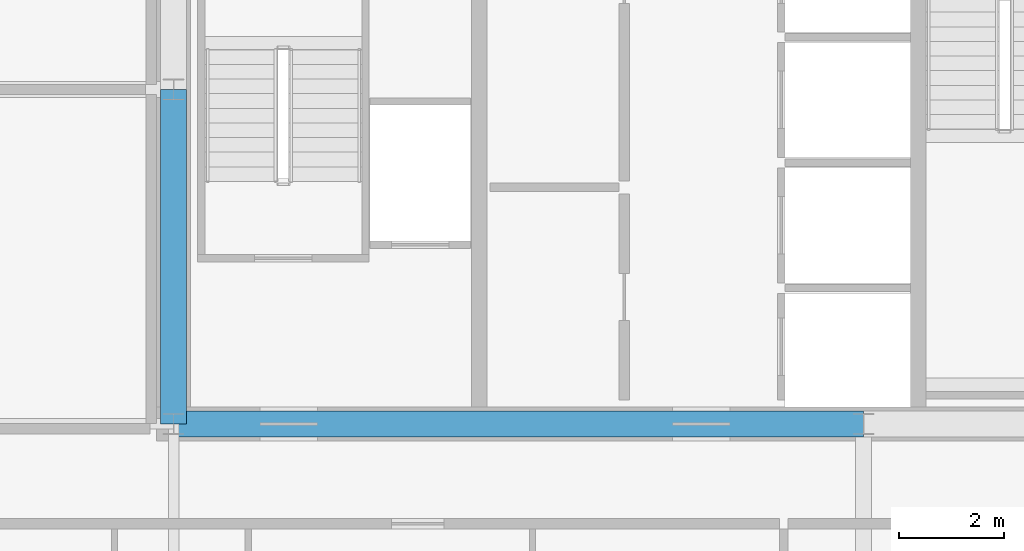
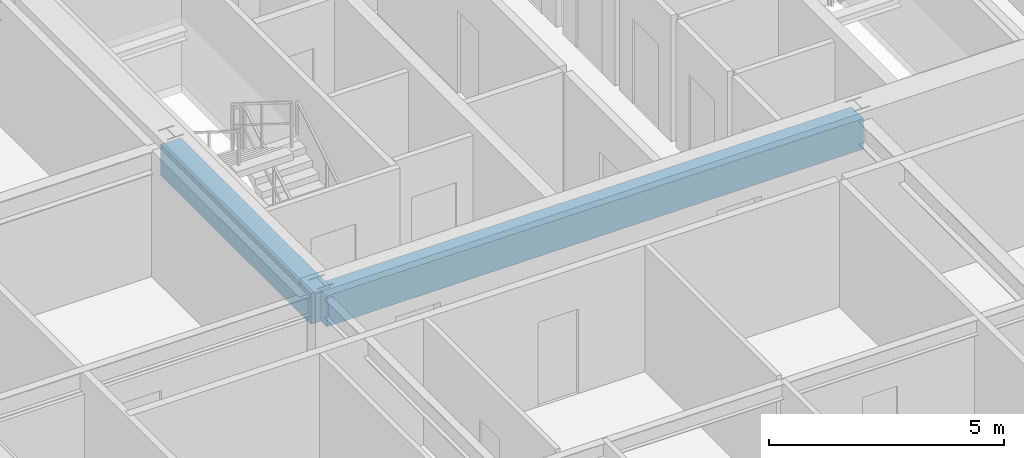
# One storey, part 17 of 45: 2 beams.
"""IFC4 building model written with IfcOpenShell, lengths in metres."""

import ifcopenshell
import ifcopenshell.guid

model = None  # the IFC model being written
_history = None  # IfcOwnerHistory: only IFC2X3 demands one
_inside = {}  # id of a spatial element -> (the spatial element, [elements in it])
_under = {}  # id of a project, library or spatial element -> (it, [spatial elements below it])
_declared = {}  # id of a project -> (the project, [libraries it declares])
_typed = {}  # id of a type object -> (the type object, [elements of that type])
_made_of = {}  # id of a material, layer set ... -> (it, [elements and type objects made of it])


def new_model(schema):
    """Start an empty IFC model of exactly this schema.

    Asked for "IFC4X3", IfcOpenShell would pick the latest addendum, in which some entities
    have other attributes; the version numbers below select the first issue.
    IFC2X3 requires an IfcOwnerHistory on every rooted entity: one is made here for all.
    """
    global model, _history
    if schema == "IFC4X3":
        model = ifcopenshell.file(schema_version=(4, 3, 0, 0))
    else:
        model = ifcopenshell.file(schema=schema)
    _inside.clear()
    _under.clear()
    _declared.clear()
    _typed.clear()
    _made_of.clear()
    _history = None
    if model.schema == "IFC2X3":
        org = make("IfcOrganization", Name="unknown")
        user = make(
            "IfcPersonAndOrganization",
            ThePerson=make("IfcPerson", FamilyName="unknown"),
            TheOrganization=org,
        )
        app = make(
            "IfcApplication",
            ApplicationDeveloper=org,
            Version="unknown",
            ApplicationFullName="unknown",
            ApplicationIdentifier="unknown",
        )
        _history = make(
            "IfcOwnerHistory",
            OwningUser=user,
            OwningApplication=app,
            ChangeAction="ADDED",
            CreationDate=0,
        )
    return model


def make(cls, **values):
    """One entity of the class cls with the attributes given. An attribute that is None is left unset."""
    return model.create_entity(
        cls, **{name: value for name, value in values.items() if value is not None}
    )


def rooted(cls, **values):
    """An entity with a GlobalId (a new one), such as an element, a storey or a relation."""
    return make(cls, GlobalId=ifcopenshell.guid.new(), OwnerHistory=_history, **values)


def si_unit(unit_type, name, prefix=None):
    """IfcSIUnit, for example si_unit("LENGTHUNIT", "METRE", prefix="MILLI")."""
    return make("IfcSIUnit", UnitType=unit_type, Prefix=prefix, Name=name)


def assignment(units):
    """IfcUnitAssignment: the units of a project."""
    return None if units is None else make("IfcUnitAssignment", Units=units)


def point(xyz):
    """IfcCartesianPoint."""
    return None if xyz is None else make("IfcCartesianPoint", Coordinates=xyz)


def direction(xyz):
    """IfcDirection."""
    return None if xyz is None else make("IfcDirection", DirectionRatios=xyz)


def frame(location, z_axis=None, x_axis=None):
    """IfcAxis2Placement3D, a coordinate frame: its origin and axes. An axis left out is left unset."""
    return make(
        "IfcAxis2Placement3D",
        Location=point(location),
        Axis=direction(z_axis),
        RefDirection=direction(x_axis),
    )


def frame_2d(location, x_axis=None):
    """IfcAxis2Placement2D, a coordinate frame in the plane: its origin and x axis."""
    return make(
        "IfcAxis2Placement2D", Location=point(location), RefDirection=direction(x_axis)
    )


def origin():
    """The frame at (0, 0, 0) with its axes left unset."""
    return frame((0.0, 0.0, 0.0))


def origin_2d():
    """The frame at (0, 0) in the plane with its x axis left unset."""
    return frame_2d((0.0, 0.0))


def place(relative_to, where):
    """IfcLocalPlacement: puts the frame where relative to a parent placement (None: the world)."""
    return make(
        "IfcLocalPlacement", PlacementRelTo=relative_to, RelativePlacement=where
    )


def context(
    kind, dimensions, precision=None, world=None, true_north=None, identifier=None
):
    """IfcGeometricRepresentationContext, for example the 3D "Model" context."""
    return make(
        "IfcGeometricRepresentationContext",
        ContextIdentifier=identifier,
        ContextType=kind,
        CoordinateSpaceDimension=dimensions,
        Precision=precision,
        WorldCoordinateSystem=world,
        TrueNorth=true_north,
    )


def subcontext(parent, identifier, kind, view, scale=None):
    """IfcGeometricRepresentationSubContext, for example "Body" below "Model"."""
    return make(
        "IfcGeometricRepresentationSubContext",
        ContextIdentifier=identifier,
        ContextType=kind,
        ParentContext=parent,
        TargetScale=scale,
        TargetView=view,
    )


def project(units=None, contexts=None):
    """IfcProject with its units and contexts."""
    return rooted(
        "IfcProject",
        Name="project",
        RepresentationContexts=contexts,
        UnitsInContext=assignment(units),
    )


def spatial(cls, under=None, at=None, **own):
    """A site, building, storey or space (cls), placed at a placement, below another one or the project."""
    s = rooted(cls, ObjectPlacement=at, **own)
    if under is not None:
        _under.setdefault(under.id(), (under, []))[1].append(s)
    return s


def profile(cls, at=None, kind="AREA", **sizes):
    """A parametric profile (cls). Its sizes go by their IFC names, for example OverallWidth=200.0."""
    return make(cls, ProfileType=kind, Position=at, **sizes)


def rectangle(**sizes):
    """IfcRectangleProfileDef."""
    return profile("IfcRectangleProfileDef", **sizes)


def extrude(swept, where, along, depth):
    """IfcExtrudedAreaSolid: the profile swept, set in the frame where, extruded along a direction by depth."""
    return make(
        "IfcExtrudedAreaSolid",
        SweptArea=swept,
        Position=where,
        ExtrudedDirection=direction(along),
        Depth=depth,
    )


def shape(context_of_items, identifier, shape_type, items):
    """IfcShapeRepresentation: the items that make up one representation, for example the "Body"."""
    return make(
        "IfcShapeRepresentation",
        ContextOfItems=context_of_items,
        RepresentationIdentifier=identifier,
        RepresentationType=shape_type,
        Items=items,
    )


def source(mapping_origin, context_of_items, identifier, shape_type, items):
    """IfcRepresentationMap: a shape defined once, which mapped items show again and again."""
    return make(
        "IfcRepresentationMap",
        MappingOrigin=mapping_origin,
        MappedRepresentation=shape(context_of_items, identifier, shape_type, items),
    )


def transform(
    local_origin,
    x_axis=None,
    y_axis=None,
    z_axis=None,
    scale=None,
    scale2=None,
    scale3=None,
    uniform=True,
):
    """IfcCartesianTransformationOperator3D, or its non-uniform kind. x_axis, y_axis, z_axis: its Axis1, 2, 3."""
    if uniform:
        return make(
            "IfcCartesianTransformationOperator3D",
            Axis1=direction(x_axis),
            Axis2=direction(y_axis),
            LocalOrigin=point(local_origin),
            Scale=scale,
            Axis3=direction(z_axis),
        )
    return make(
        "IfcCartesianTransformationOperator3DnonUniform",
        Axis1=direction(x_axis),
        Axis2=direction(y_axis),
        LocalOrigin=point(local_origin),
        Scale=scale,
        Axis3=direction(z_axis),
        Scale2=scale2,
        Scale3=scale3,
    )


def mapped(mapping_source, mapping_target):
    """IfcMappedItem: shows the shape of a source again, moved by a transform."""
    return make(
        "IfcMappedItem", MappingSource=mapping_source, MappingTarget=mapping_target
    )


def material(Name=None, Category=None):
    """IfcMaterial."""
    return make("IfcMaterial", Name=Name, Category=Category)


def material_profile(
    of_material, cross_section, Name=None, Category=None, Priority=None
):
    """IfcMaterialProfile: a cross section and its material."""
    return make(
        "IfcMaterialProfile",
        Name=Name,
        Material=of_material,
        Profile=cross_section,
        Priority=Priority,
        Category=Category,
    )


def profile_set(profiles, Name=None, composite=None):
    """IfcMaterialProfileSet."""
    return make(
        "IfcMaterialProfileSet",
        Name=Name,
        MaterialProfiles=profiles,
        CompositeProfile=composite,
    )


def made_of(thing, what):
    """Note that an element or type object is made of a material, layer set ...; save() writes the relation."""
    if what is not None:
        _made_of.setdefault(what.id(), (what, []))[1].append(thing)
    return thing


def type_object(cls, material=None, **own):
    """A type object (cls), such as IfcWallType, which elements share."""
    return made_of(rooted(cls, **own), material)


def element(
    cls,
    number,
    at=None,
    inside=None,
    cuts=None,
    type_object=None,
    material=None,
    context=None,
    identifier="Body",
    shape_type=None,
    held_by="IfcProductDefinitionShape",
    body=None,
    shapes=None,
    **own,
):
    """One element of the class cls, such as IfcWall. Its Tag is "e" and its number.

    at: its placement. inside: the storey or other place that contains it. cuts: it is an
    opening in that element (IfcRelVoidsElement). A single representation is given by context,
    identifier, shape_type and body (its items); several are given by shapes. held_by: the class
    of the entity that holds the representations. save() writes the other relations.
    """
    e = rooted(cls, Tag="e%d" % number, ObjectPlacement=at, **own)
    if body is not None:
        shapes = [shape(context, identifier, shape_type, body)]
    if shapes is not None:
        e.Representation = make(held_by, Representations=shapes)
    if inside is not None:
        _inside.setdefault(inside.id(), (inside, []))[1].append(e)
    if cuts is not None:
        rooted(
            "IfcRelVoidsElement", RelatingBuildingElement=cuts, RelatedOpeningElement=e
        )
    if type_object is not None:
        _typed.setdefault(type_object.id(), (type_object, []))[1].append(e)
    return made_of(e, material)


def aggregate(whole, parts):
    """IfcRelAggregates: a whole, such as a stair, and the parts it consists of."""
    return rooted("IfcRelAggregates", RelatingObject=whole, RelatedObjects=parts)


def save(model, path):
    """Write the relations noted so far, then the file.

    IfcRelAggregates (storeys below a building ...), IfcRelContainedInSpatialStructure (elements
    in a storey), IfcRelDefinesByType, IfcRelAssociatesMaterial and IfcRelDeclares: one each for
    every whole, place, type object, material and project.
    """
    for whole, parts in _under.values():
        aggregate(whole, parts)
    for where, things in _inside.values():
        rooted(
            "IfcRelContainedInSpatialStructure",
            RelatedElements=things,
            RelatingStructure=where,
        )
    for kind, things in _typed.values():
        rooted("IfcRelDefinesByType", RelatedObjects=things, RelatingType=kind)
    for what, things in _made_of.values():
        rooted("IfcRelAssociatesMaterial", RelatedObjects=things, RelatingMaterial=what)
    for by, libraries in _declared.values():
        rooted("IfcRelDeclares", RelatingContext=by, RelatedDefinitions=libraries)
    model.write(path)


model = new_model("IFC4")

# Units and contexts
model_context = context("Model", 3, precision=1e-05, world=origin(), true_north=direction((0.0, 1.0)))
body_context = subcontext(model_context, "Body", "Model", "MODEL_VIEW")
ifc_project = project(units=[si_unit("LENGTHUNIT", "METRE"), si_unit("AREAUNIT", "SQUARE_METRE"), si_unit("VOLUMEUNIT", "CUBIC_METRE"), si_unit("PLANEANGLEUNIT", "RADIAN"), si_unit("MASSUNIT", "GRAM", prefix="KILO"), si_unit("THERMODYNAMICTEMPERATUREUNIT", "KELVIN"), si_unit("POWERUNIT", "WATT")], contexts=[model_context])

# Site, building, storey
site_placement = place(None, origin())
site = spatial("IfcSite", under=ifc_project, at=site_placement, CompositionType="ELEMENT")
building_placement = place(site_placement, origin())
building = spatial("IfcBuilding", under=site, at=building_placement, Name="Yuzanri Waterfront Tower", CompositionType="ELEMENT")
storey_placement = place(building_placement, frame((0.0, 0.0, 212.5)))
storey = spatial("IfcBuildingStorey", under=building, at=storey_placement, Name="L56", CompositionType="ELEMENT", Elevation=212.5)

# Beams
ifc_material = material(Name="Concrete C50", Category="concrete")
ifc_material_profile = material_profile(ifc_material, rectangle(XDim=0.5, YDim=0.800048828125, at=origin_2d()), Name="RC 500x800")
ifc_profile_set = profile_set([ifc_material_profile], Name="Concrete C50")
beam_type = type_object("IfcBeamType", Name="Core Coupling Lintel Concrete C50 500x800", PredefinedType="LINTEL", material=ifc_profile_set)
shared_shape_1 = source(origin(), body_context, "Body", "SweptSolid", [
    extrude(rectangle(XDim=0.5, YDim=0.800048828125, at=origin_2d()), origin(), (0.0, 0.0, 1.0), 13.199951171875),
])
beam_1_placement = place(storey_placement, frame((23.800048828125, 19.39990234375, 2.8798828125), z_axis=(1.0, 0.0, 0.0), x_axis=(0.0, 1.0, 0.0)))
element("IfcBeam", 1, at=beam_1_placement, inside=storey, type_object=beam_type, Name="L56 Core Tie Beam CS1", PredefinedType="LINTEL", context=body_context, shape_type="MappedRepresentation", body=[
    mapped(shared_shape_1, transform((0.0, 0.0, 0.0), scale=1.0)),
])
shared_shape_2 = source(origin(), body_context, "Body", "SweptSolid", [
    extrude(rectangle(XDim=0.5, YDim=0.800048828125, at=origin_2d()), origin(), (0.0, 0.0, 1.0), 6.400146484375),
])
beam_2_placement = place(storey_placement, frame((23.800048828125, 19.39990234375, 2.8798828125), z_axis=(0.0, 1.0, 0.0), x_axis=(-1.0, 0.0, 0.0)))
element("IfcBeam", 2, at=beam_2_placement, inside=storey, type_object=beam_type, Name="L56 Core Tie Beam CW1", PredefinedType="LINTEL", context=body_context, shape_type="MappedRepresentation", body=[
    mapped(shared_shape_2, transform((0.0, 0.0, 0.0), scale=1.0)),
])

save(model, "model.ifc")
